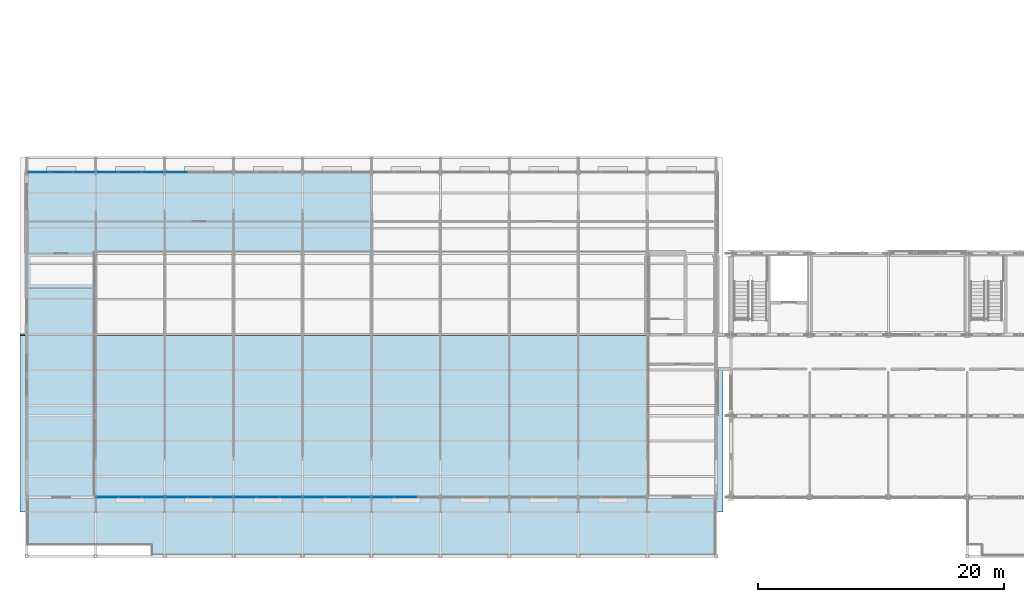
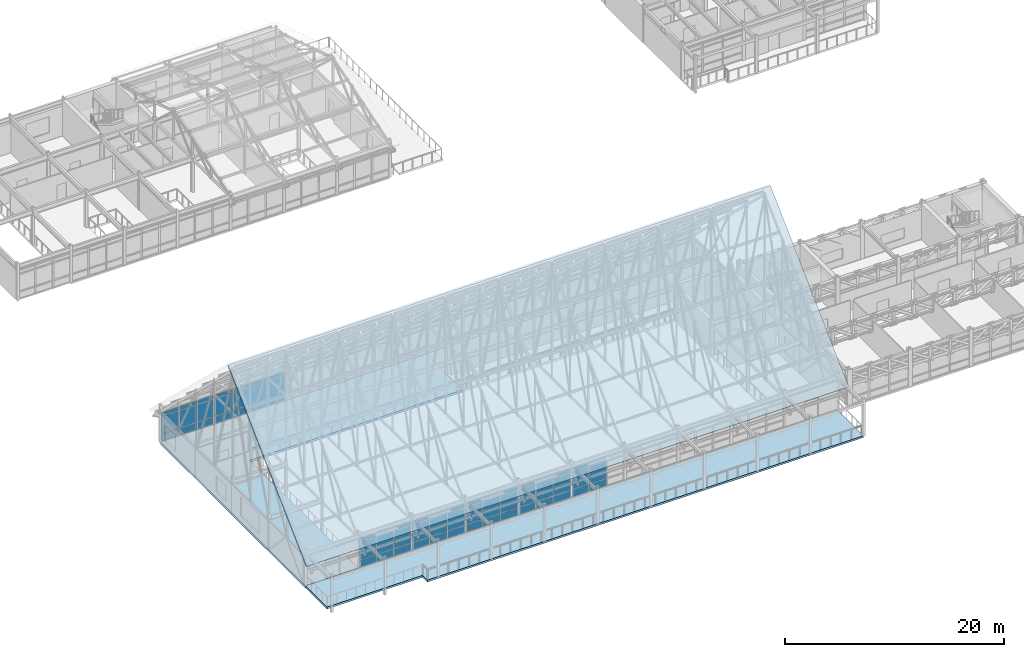
# One storey, part 91 of 144: 63 plates, 3 slabs, 8 elements without a shape of their own.
"""IFC4 building model written with IfcOpenShell, lengths in metres."""

from ifc_helpers import new_model, si_unit, direction, frame, origin, origin_2d, place, context, subcontext, project, spatial, polyline, rectangle, outline, extrude, material, layer, layer_set, type_object, element, aggregate, save


model = new_model("IFC4")

# Units and contexts
model_context = context("Model", 3, precision=1e-05, world=origin(), true_north=direction((0.0, 1.0)))
body_context = subcontext(model_context, "Body", "Model", "MODEL_VIEW")
ifc_project = project(units=[si_unit("LENGTHUNIT", "METRE"), si_unit("AREAUNIT", "SQUARE_METRE"), si_unit("VOLUMEUNIT", "CUBIC_METRE"), si_unit("PLANEANGLEUNIT", "RADIAN"), si_unit("MASSUNIT", "GRAM", prefix="KILO")], contexts=[model_context])

# Site, building, storey
site_placement = place(None, origin())
site = spatial("IfcSite", under=ifc_project, at=site_placement, CompositionType="ELEMENT")
building_placement = place(site_placement, origin())
building = spatial("IfcBuilding", under=site, at=building_placement, Name="Trelmorton Wharf Fire Station", CompositionType="ELEMENT")
storey_placement = place(building_placement, frame((0.0, 0.0, 5.39990234375)))
storey = spatial("IfcBuildingStorey", under=building, at=storey_placement, Name="L01", CompositionType="ELEMENT", Elevation=5.39990234375)

# Curtain wall, plates
ifc_material_1 = material(Name="Anodised aluminium AW-6063", Category="aluminium")
ifc_layer_1 = layer(ifc_material_1, 0.159912109375)
ifc_layer_set_1 = layer_set([ifc_layer_1], Name="Anodised aluminium AW-6063")
curtain_wall_type_1 = type_object("IfcCurtainWallType", Name="CW_CHIC_A", PredefinedType="USERDEFINED", material=ifc_layer_set_1)
curtain_wall_1_placement = place(storey_placement, origin())
curtain_wall_1 = element("IfcCurtainWall", 1, at=curtain_wall_1_placement, inside=storey, type_object=curtain_wall_type_1, Name="CW-V1-L01-001", ObjectType="CHICAGO BAY CURTAIN WALL", PredefinedType="USERDEFINED")
ifc_material_2 = material(Name="Tempered low-E double glazing", Category="glass")
ifc_layer_2 = layer(ifc_material_2, 0.028076171875)
ifc_layer_set_2 = layer_set([ifc_layer_2], Name="Tempered low-E double glazing")
plate_type_1 = type_object("IfcPlateType", Name="CWP_GLAZ_28", PredefinedType="CURTAIN_PANEL", material=ifc_layer_set_2)
plate_1_placement = place(storey_placement, frame((11.04833984375, 7.800048828125, 0.06005859375), z_axis=(0.0, 0.0, 1.0), x_axis=(-1.0, 0.0, 0.0)))
plate_1 = element("IfcPlate", 2, at=plate_1_placement, type_object=plate_type_1, Name="CW1 panel 1.1", PredefinedType="CURTAIN_PANEL", context=body_context, shape_type="SweptSolid", body=[
    extrude(rectangle(XDim=1.7734375, YDim=0.028076171875, at=origin_2d()), origin(), (0.0, 0.0, 1.0), 0.760009765625),
])
plate_2_placement = place(storey_placement, frame((11.04833984375, 7.800048828125, 0.88037109375), z_axis=(0.0, 0.0, 1.0), x_axis=(-1.0, 0.0, 0.0)))
plate_2 = element("IfcPlate", 3, at=plate_2_placement, type_object=plate_type_1, Name="CW1 panel 1.2", PredefinedType="CURTAIN_PANEL", context=body_context, shape_type="SweptSolid", body=[
    extrude(rectangle(XDim=1.7734375, YDim=0.028076171875, at=origin_2d()), origin(), (0.0, 0.0, 1.0), 1.909912109375),
])
plate_3_placement = place(storey_placement, frame((11.04833984375, 7.800048828125, 2.85009765625), z_axis=(0.0, 0.0, 1.0), x_axis=(-1.0, 0.0, 0.0)))
plate_3 = element("IfcPlate", 4, at=plate_3_placement, type_object=plate_type_1, Name="CW1 panel 1.3", PredefinedType="CURTAIN_PANEL", context=body_context, shape_type="SweptSolid", body=[
    extrude(rectangle(XDim=1.7734375, YDim=0.028076171875, at=origin_2d()), origin(), (0.0, 0.0, 1.0), 0.409912109375),
])
plate_4_placement = place(storey_placement, frame((9.199951171875, 7.800048828125, 0.06005859375), z_axis=(0.0, 0.0, 1.0), x_axis=(-1.0, 0.0, 0.0)))
plate_4 = element("IfcPlate", 5, at=plate_4_placement, type_object=plate_type_1, Name="CW1 panel 2.1", PredefinedType="CURTAIN_PANEL", context=body_context, shape_type="SweptSolid", body=[
    extrude(rectangle(XDim=1.80322265625, YDim=0.028076171875, at=origin_2d()), origin(), (0.0, 0.0, 1.0), 0.760009765625),
])
plate_5_placement = place(storey_placement, frame((9.199951171875, 7.800048828125, 0.88037109375), z_axis=(0.0, 0.0, 1.0), x_axis=(-1.0, 0.0, 0.0)))
plate_5 = element("IfcPlate", 6, at=plate_5_placement, type_object=plate_type_1, Name="CW1 panel 2.2", PredefinedType="CURTAIN_PANEL", context=body_context, shape_type="SweptSolid", body=[
    extrude(rectangle(XDim=1.80322265625, YDim=0.028076171875, at=origin_2d()), origin(), (0.0, 0.0, 1.0), 1.909912109375),
])
plate_6_placement = place(storey_placement, frame((9.199951171875, 7.800048828125, 2.85009765625), z_axis=(0.0, 0.0, 1.0), x_axis=(-1.0, 0.0, 0.0)))
plate_6 = element("IfcPlate", 7, at=plate_6_placement, type_object=plate_type_1, Name="CW1 panel 2.3", PredefinedType="CURTAIN_PANEL", context=body_context, shape_type="SweptSolid", body=[
    extrude(rectangle(XDim=1.80322265625, YDim=0.028076171875, at=origin_2d()), origin(), (0.0, 0.0, 1.0), 0.409912109375),
])
plate_7_placement = place(storey_placement, frame((7.3515625, 7.800048828125, 0.06005859375), z_axis=(0.0, 0.0, 1.0), x_axis=(-1.0, 0.0, 0.0)))
plate_7 = element("IfcPlate", 8, at=plate_7_placement, type_object=plate_type_1, Name="CW1 panel 3.1", PredefinedType="CURTAIN_PANEL", context=body_context, shape_type="SweptSolid", body=[
    extrude(rectangle(XDim=1.7734375, YDim=0.028076171875, at=origin_2d()), origin(), (0.0, 0.0, 1.0), 0.760009765625),
])
plate_8_placement = place(storey_placement, frame((7.3515625, 7.800048828125, 0.88037109375), z_axis=(0.0, 0.0, 1.0), x_axis=(-1.0, 0.0, 0.0)))
plate_8 = element("IfcPlate", 9, at=plate_8_placement, type_object=plate_type_1, Name="CW1 panel 3.2", PredefinedType="CURTAIN_PANEL", context=body_context, shape_type="SweptSolid", body=[
    extrude(rectangle(XDim=1.7734375, YDim=0.028076171875, at=origin_2d()), origin(), (0.0, 0.0, 1.0), 1.909912109375),
])
plate_9_placement = place(storey_placement, frame((7.3515625, 7.800048828125, 2.85009765625), z_axis=(0.0, 0.0, 1.0), x_axis=(-1.0, 0.0, 0.0)))
plate_9 = element("IfcPlate", 10, at=plate_9_placement, type_object=plate_type_1, Name="CW1 panel 3.3", PredefinedType="CURTAIN_PANEL", context=body_context, shape_type="SweptSolid", body=[
    extrude(rectangle(XDim=1.7734375, YDim=0.028076171875, at=origin_2d()), origin(), (0.0, 0.0, 1.0), 0.409912109375),
])
aggregate(curtain_wall_1, [plate_1, plate_2, plate_3, plate_4, plate_5, plate_6, plate_7, plate_8, plate_9])

curtain_wall_2_placement = place(storey_placement, origin())
curtain_wall_2 = element("IfcCurtainWall", 11, at=curtain_wall_2_placement, inside=storey, type_object=curtain_wall_type_1, Name="CW-V1-L01-002", ObjectType="CHICAGO BAY CURTAIN WALL", PredefinedType="USERDEFINED")
plate_10_placement = place(storey_placement, frame((16.6484375, 7.800048828125, 0.06005859375), z_axis=(0.0, 0.0, 1.0), x_axis=(-1.0, 0.0, 0.0)))
plate_10 = element("IfcPlate", 12, at=plate_10_placement, type_object=plate_type_1, Name="CW1 panel 1.1", PredefinedType="CURTAIN_PANEL", context=body_context, shape_type="SweptSolid", body=[
    extrude(rectangle(XDim=1.7734375, YDim=0.028076171875, at=origin_2d()), origin(), (0.0, 0.0, 1.0), 0.760009765625),
])
plate_11_placement = place(storey_placement, frame((16.6484375, 7.800048828125, 0.88037109375), z_axis=(0.0, 0.0, 1.0), x_axis=(-1.0, 0.0, 0.0)))
plate_11 = element("IfcPlate", 13, at=plate_11_placement, type_object=plate_type_1, Name="CW1 panel 1.2", PredefinedType="CURTAIN_PANEL", context=body_context, shape_type="SweptSolid", body=[
    extrude(rectangle(XDim=1.7734375, YDim=0.028076171875, at=origin_2d()), origin(), (0.0, 0.0, 1.0), 1.909912109375),
])
plate_12_placement = place(storey_placement, frame((16.6484375, 7.800048828125, 2.85009765625), z_axis=(0.0, 0.0, 1.0), x_axis=(-1.0, 0.0, 0.0)))
plate_12 = element("IfcPlate", 14, at=plate_12_placement, type_object=plate_type_1, Name="CW1 panel 1.3", PredefinedType="CURTAIN_PANEL", context=body_context, shape_type="SweptSolid", body=[
    extrude(rectangle(XDim=1.7734375, YDim=0.028076171875, at=origin_2d()), origin(), (0.0, 0.0, 1.0), 0.409912109375),
])
plate_13_placement = place(storey_placement, frame((14.800048828125, 7.800048828125, 0.06005859375), z_axis=(0.0, 0.0, 1.0), x_axis=(-1.0, 0.0, 0.0)))
plate_13 = element("IfcPlate", 15, at=plate_13_placement, type_object=plate_type_1, Name="CW1 panel 2.1", PredefinedType="CURTAIN_PANEL", context=body_context, shape_type="SweptSolid", body=[
    extrude(rectangle(XDim=1.80322265625, YDim=0.028076171875, at=origin_2d()), origin(), (0.0, 0.0, 1.0), 0.760009765625),
])
plate_14_placement = place(storey_placement, frame((14.800048828125, 7.800048828125, 0.88037109375), z_axis=(0.0, 0.0, 1.0), x_axis=(-1.0, 0.0, 0.0)))
plate_14 = element("IfcPlate", 16, at=plate_14_placement, type_object=plate_type_1, Name="CW1 panel 2.2", PredefinedType="CURTAIN_PANEL", context=body_context, shape_type="SweptSolid", body=[
    extrude(rectangle(XDim=1.80322265625, YDim=0.028076171875, at=origin_2d()), origin(), (0.0, 0.0, 1.0), 1.909912109375),
])
plate_15_placement = place(storey_placement, frame((14.800048828125, 7.800048828125, 2.85009765625), z_axis=(0.0, 0.0, 1.0), x_axis=(-1.0, 0.0, 0.0)))
plate_15 = element("IfcPlate", 17, at=plate_15_placement, type_object=plate_type_1, Name="CW1 panel 2.3", PredefinedType="CURTAIN_PANEL", context=body_context, shape_type="SweptSolid", body=[
    extrude(rectangle(XDim=1.80322265625, YDim=0.028076171875, at=origin_2d()), origin(), (0.0, 0.0, 1.0), 0.409912109375),
])
plate_16_placement = place(storey_placement, frame((12.95166015625, 7.800048828125, 0.06005859375), z_axis=(0.0, 0.0, 1.0), x_axis=(-1.0, 0.0, 0.0)))
plate_16 = element("IfcPlate", 18, at=plate_16_placement, type_object=plate_type_1, Name="CW1 panel 3.1", PredefinedType="CURTAIN_PANEL", context=body_context, shape_type="SweptSolid", body=[
    extrude(rectangle(XDim=1.7734375, YDim=0.028076171875, at=origin_2d()), origin(), (0.0, 0.0, 1.0), 0.760009765625),
])
plate_17_placement = place(storey_placement, frame((12.95166015625, 7.800048828125, 0.88037109375), z_axis=(0.0, 0.0, 1.0), x_axis=(-1.0, 0.0, 0.0)))
plate_17 = element("IfcPlate", 19, at=plate_17_placement, type_object=plate_type_1, Name="CW1 panel 3.2", PredefinedType="CURTAIN_PANEL", context=body_context, shape_type="SweptSolid", body=[
    extrude(rectangle(XDim=1.7734375, YDim=0.028076171875, at=origin_2d()), origin(), (0.0, 0.0, 1.0), 1.909912109375),
])
plate_18_placement = place(storey_placement, frame((12.95166015625, 7.800048828125, 2.85009765625), z_axis=(0.0, 0.0, 1.0), x_axis=(-1.0, 0.0, 0.0)))
plate_18 = element("IfcPlate", 20, at=plate_18_placement, type_object=plate_type_1, Name="CW1 panel 3.3", PredefinedType="CURTAIN_PANEL", context=body_context, shape_type="SweptSolid", body=[
    extrude(rectangle(XDim=1.7734375, YDim=0.028076171875, at=origin_2d()), origin(), (0.0, 0.0, 1.0), 0.409912109375),
])
aggregate(curtain_wall_2, [plate_10, plate_11, plate_12, plate_13, plate_14, plate_15, plate_16, plate_17, plate_18])

curtain_wall_3_placement = place(storey_placement, origin())
curtain_wall_3 = element("IfcCurtainWall", 21, at=curtain_wall_3_placement, inside=storey, type_object=curtain_wall_type_1, Name="CW-V1-L01-004", ObjectType="CHICAGO BAY CURTAIN WALL", PredefinedType="USERDEFINED")
plate_19_placement = place(storey_placement, frame((27.848388671875, 7.800048828125, 0.06005859375), z_axis=(0.0, 0.0, 1.0), x_axis=(-1.0, 0.0, 0.0)))
plate_19 = element("IfcPlate", 22, at=plate_19_placement, type_object=plate_type_1, Name="CW1 panel 1.1", PredefinedType="CURTAIN_PANEL", context=body_context, shape_type="SweptSolid", body=[
    extrude(rectangle(XDim=1.7734375, YDim=0.028076171875, at=origin_2d()), origin(), (0.0, 0.0, 1.0), 0.760009765625),
])
plate_20_placement = place(storey_placement, frame((27.848388671875, 7.800048828125, 0.88037109375), z_axis=(0.0, 0.0, 1.0), x_axis=(-1.0, 0.0, 0.0)))
plate_20 = element("IfcPlate", 23, at=plate_20_placement, type_object=plate_type_1, Name="CW1 panel 1.2", PredefinedType="CURTAIN_PANEL", context=body_context, shape_type="SweptSolid", body=[
    extrude(rectangle(XDim=1.7734375, YDim=0.028076171875, at=origin_2d()), origin(), (0.0, 0.0, 1.0), 1.909912109375),
])
plate_21_placement = place(storey_placement, frame((27.848388671875, 7.800048828125, 2.85009765625), z_axis=(0.0, 0.0, 1.0), x_axis=(-1.0, 0.0, 0.0)))
plate_21 = element("IfcPlate", 24, at=plate_21_placement, type_object=plate_type_1, Name="CW1 panel 1.3", PredefinedType="CURTAIN_PANEL", context=body_context, shape_type="SweptSolid", body=[
    extrude(rectangle(XDim=1.7734375, YDim=0.028076171875, at=origin_2d()), origin(), (0.0, 0.0, 1.0), 0.409912109375),
])
plate_22_placement = place(storey_placement, frame((26.0, 7.800048828125, 0.06005859375), z_axis=(0.0, 0.0, 1.0), x_axis=(-1.0, 0.0, 0.0)))
plate_22 = element("IfcPlate", 25, at=plate_22_placement, type_object=plate_type_1, Name="CW1 panel 2.1", PredefinedType="CURTAIN_PANEL", context=body_context, shape_type="SweptSolid", body=[
    extrude(rectangle(XDim=1.80322265625, YDim=0.028076171875, at=origin_2d()), origin(), (0.0, 0.0, 1.0), 0.760009765625),
])
plate_23_placement = place(storey_placement, frame((26.0, 7.800048828125, 0.88037109375), z_axis=(0.0, 0.0, 1.0), x_axis=(-1.0, 0.0, 0.0)))
plate_23 = element("IfcPlate", 26, at=plate_23_placement, type_object=plate_type_1, Name="CW1 panel 2.2", PredefinedType="CURTAIN_PANEL", context=body_context, shape_type="SweptSolid", body=[
    extrude(rectangle(XDim=1.80322265625, YDim=0.028076171875, at=origin_2d()), origin(), (0.0, 0.0, 1.0), 1.909912109375),
])
plate_24_placement = place(storey_placement, frame((26.0, 7.800048828125, 2.85009765625), z_axis=(0.0, 0.0, 1.0), x_axis=(-1.0, 0.0, 0.0)))
plate_24 = element("IfcPlate", 27, at=plate_24_placement, type_object=plate_type_1, Name="CW1 panel 2.3", PredefinedType="CURTAIN_PANEL", context=body_context, shape_type="SweptSolid", body=[
    extrude(rectangle(XDim=1.80322265625, YDim=0.028076171875, at=origin_2d()), origin(), (0.0, 0.0, 1.0), 0.409912109375),
])
plate_25_placement = place(storey_placement, frame((24.151611328125, 7.800048828125, 0.06005859375), z_axis=(0.0, 0.0, 1.0), x_axis=(-1.0, 0.0, 0.0)))
plate_25 = element("IfcPlate", 28, at=plate_25_placement, type_object=plate_type_1, Name="CW1 panel 3.1", PredefinedType="CURTAIN_PANEL", context=body_context, shape_type="SweptSolid", body=[
    extrude(rectangle(XDim=1.7734375, YDim=0.028076171875, at=origin_2d()), origin(), (0.0, 0.0, 1.0), 0.760009765625),
])
plate_26_placement = place(storey_placement, frame((24.151611328125, 7.800048828125, 0.88037109375), z_axis=(0.0, 0.0, 1.0), x_axis=(-1.0, 0.0, 0.0)))
plate_26 = element("IfcPlate", 29, at=plate_26_placement, type_object=plate_type_1, Name="CW1 panel 3.2", PredefinedType="CURTAIN_PANEL", context=body_context, shape_type="SweptSolid", body=[
    extrude(rectangle(XDim=1.7734375, YDim=0.028076171875, at=origin_2d()), origin(), (0.0, 0.0, 1.0), 1.909912109375),
])
plate_27_placement = place(storey_placement, frame((24.151611328125, 7.800048828125, 2.85009765625), z_axis=(0.0, 0.0, 1.0), x_axis=(-1.0, 0.0, 0.0)))
plate_27 = element("IfcPlate", 30, at=plate_27_placement, type_object=plate_type_1, Name="CW1 panel 3.3", PredefinedType="CURTAIN_PANEL", context=body_context, shape_type="SweptSolid", body=[
    extrude(rectangle(XDim=1.7734375, YDim=0.028076171875, at=origin_2d()), origin(), (0.0, 0.0, 1.0), 0.409912109375),
])
aggregate(curtain_wall_3, [plate_19, plate_20, plate_21, plate_22, plate_23, plate_24, plate_25, plate_26, plate_27])

curtain_wall_4_placement = place(storey_placement, origin())
curtain_wall_4 = element("IfcCurtainWall", 31, at=curtain_wall_4_placement, inside=storey, type_object=curtain_wall_type_1, Name="CW-V1-L01-005", ObjectType="CHICAGO BAY CURTAIN WALL", PredefinedType="USERDEFINED")
plate_28_placement = place(storey_placement, frame((31.60009765625, 7.800048828125, 0.06005859375), z_axis=(0.0, 0.0, 1.0), x_axis=(-1.0, 0.0, 0.0)))
plate_28 = element("IfcPlate", 32, at=plate_28_placement, type_object=plate_type_1, Name="CW1 panel 2.1", PredefinedType="CURTAIN_PANEL", context=body_context, shape_type="SweptSolid", body=[
    extrude(rectangle(XDim=1.80322265625, YDim=0.028076171875, at=origin_2d()), origin(), (0.0, 0.0, 1.0), 0.760009765625),
])
plate_29_placement = place(storey_placement, frame((31.60009765625, 7.800048828125, 0.88037109375), z_axis=(0.0, 0.0, 1.0), x_axis=(-1.0, 0.0, 0.0)))
plate_29 = element("IfcPlate", 33, at=plate_29_placement, type_object=plate_type_1, Name="CW1 panel 2.2", PredefinedType="CURTAIN_PANEL", context=body_context, shape_type="SweptSolid", body=[
    extrude(rectangle(XDim=1.80322265625, YDim=0.028076171875, at=origin_2d()), origin(), (0.0, 0.0, 1.0), 1.909912109375),
])
plate_30_placement = place(storey_placement, frame((31.60009765625, 7.800048828125, 2.85009765625), z_axis=(0.0, 0.0, 1.0), x_axis=(-1.0, 0.0, 0.0)))
plate_30 = element("IfcPlate", 34, at=plate_30_placement, type_object=plate_type_1, Name="CW1 panel 2.3", PredefinedType="CURTAIN_PANEL", context=body_context, shape_type="SweptSolid", body=[
    extrude(rectangle(XDim=1.80322265625, YDim=0.028076171875, at=origin_2d()), origin(), (0.0, 0.0, 1.0), 0.409912109375),
])
plate_31_placement = place(storey_placement, frame((29.751708984375, 7.800048828125, 0.06005859375), z_axis=(0.0, 0.0, 1.0), x_axis=(-1.0, 0.0, 0.0)))
plate_31 = element("IfcPlate", 35, at=plate_31_placement, type_object=plate_type_1, Name="CW1 panel 3.1", PredefinedType="CURTAIN_PANEL", context=body_context, shape_type="SweptSolid", body=[
    extrude(rectangle(XDim=1.7734375, YDim=0.028076171875, at=origin_2d()), origin(), (0.0, 0.0, 1.0), 0.760009765625),
])
plate_32_placement = place(storey_placement, frame((29.751708984375, 7.800048828125, 0.88037109375), z_axis=(0.0, 0.0, 1.0), x_axis=(-1.0, 0.0, 0.0)))
plate_32 = element("IfcPlate", 36, at=plate_32_placement, type_object=plate_type_1, Name="CW1 panel 3.2", PredefinedType="CURTAIN_PANEL", context=body_context, shape_type="SweptSolid", body=[
    extrude(rectangle(XDim=1.7734375, YDim=0.028076171875, at=origin_2d()), origin(), (0.0, 0.0, 1.0), 1.909912109375),
])
plate_33_placement = place(storey_placement, frame((29.751708984375, 7.800048828125, 2.85009765625), z_axis=(0.0, 0.0, 1.0), x_axis=(-1.0, 0.0, 0.0)))
plate_33 = element("IfcPlate", 37, at=plate_33_placement, type_object=plate_type_1, Name="CW1 panel 3.3", PredefinedType="CURTAIN_PANEL", context=body_context, shape_type="SweptSolid", body=[
    extrude(rectangle(XDim=1.7734375, YDim=0.028076171875, at=origin_2d()), origin(), (0.0, 0.0, 1.0), 0.409912109375),
])
aggregate(curtain_wall_4, [plate_28, plate_29, plate_30, plate_31, plate_32, plate_33])

ifc_layer_3 = layer(ifc_material_1, 0.175048828125)
ifc_layer_set_3 = layer_set([ifc_layer_3], Name="Anodised aluminium AW-6063")
curtain_wall_type_2 = type_object("IfcCurtainWallType", Name="CW_CHIC_B", PredefinedType="USERDEFINED", material=ifc_layer_set_3)
curtain_wall_5_placement = place(storey_placement, origin())
curtain_wall_5 = element("IfcCurtainWall", 38, at=curtain_wall_5_placement, inside=storey, type_object=curtain_wall_type_2, Name="CW-V1-L01-010", ObjectType="CHICAGO BAY CURTAIN WALL", PredefinedType="USERDEFINED")
plate_34_placement = place(storey_placement, frame((7.3515625, 34.199951171875, 0.06005859375), z_axis=(0.0, 0.0, 1.0), x_axis=(1.0, 0.0, 0.0)))
plate_34 = element("IfcPlate", 39, at=plate_34_placement, type_object=plate_type_1, Name="CW2 panel 1.1", PredefinedType="CURTAIN_PANEL", context=body_context, shape_type="SweptSolid", body=[
    extrude(rectangle(XDim=1.7734375, YDim=0.028076171875, at=origin_2d()), origin(), (0.0, 0.0, 1.0), 0.760009765625),
])
plate_35_placement = place(storey_placement, frame((7.3515625, 34.199951171875, 0.88037109375), z_axis=(0.0, 0.0, 1.0), x_axis=(1.0, 0.0, 0.0)))
plate_35 = element("IfcPlate", 40, at=plate_35_placement, type_object=plate_type_1, Name="CW2 panel 1.2", PredefinedType="CURTAIN_PANEL", context=body_context, shape_type="SweptSolid", body=[
    extrude(rectangle(XDim=1.7734375, YDim=0.028076171875, at=origin_2d()), origin(), (0.0, 0.0, 1.0), 1.909912109375),
])
plate_36_placement = place(storey_placement, frame((7.3515625, 34.199951171875, 2.85009765625), z_axis=(0.0, 0.0, 1.0), x_axis=(1.0, 0.0, 0.0)))
plate_36 = element("IfcPlate", 41, at=plate_36_placement, type_object=plate_type_1, Name="CW2 panel 1.3", PredefinedType="CURTAIN_PANEL", context=body_context, shape_type="SweptSolid", body=[
    extrude(rectangle(XDim=1.7734375, YDim=0.028076171875, at=origin_2d()), origin(), (0.0, 0.0, 1.0), 0.409912109375),
])
plate_37_placement = place(storey_placement, frame((9.199951171875, 34.199951171875, 0.06005859375), z_axis=(0.0, 0.0, 1.0), x_axis=(1.0, 0.0, 0.0)))
plate_37 = element("IfcPlate", 42, at=plate_37_placement, type_object=plate_type_1, Name="CW2 panel 2.1", PredefinedType="CURTAIN_PANEL", context=body_context, shape_type="SweptSolid", body=[
    extrude(rectangle(XDim=1.80322265625, YDim=0.028076171875, at=origin_2d()), origin(), (0.0, 0.0, 1.0), 0.760009765625),
])
plate_38_placement = place(storey_placement, frame((9.199951171875, 34.199951171875, 0.88037109375), z_axis=(0.0, 0.0, 1.0), x_axis=(1.0, 0.0, 0.0)))
plate_38 = element("IfcPlate", 43, at=plate_38_placement, type_object=plate_type_1, Name="CW2 panel 2.2", PredefinedType="CURTAIN_PANEL", context=body_context, shape_type="SweptSolid", body=[
    extrude(rectangle(XDim=1.80322265625, YDim=0.028076171875, at=origin_2d()), origin(), (0.0, 0.0, 1.0), 1.909912109375),
])
plate_39_placement = place(storey_placement, frame((9.199951171875, 34.199951171875, 2.85009765625), z_axis=(0.0, 0.0, 1.0), x_axis=(1.0, 0.0, 0.0)))
plate_39 = element("IfcPlate", 44, at=plate_39_placement, type_object=plate_type_1, Name="CW2 panel 2.3", PredefinedType="CURTAIN_PANEL", context=body_context, shape_type="SweptSolid", body=[
    extrude(rectangle(XDim=1.80322265625, YDim=0.028076171875, at=origin_2d()), origin(), (0.0, 0.0, 1.0), 0.409912109375),
])
plate_40_placement = place(storey_placement, frame((11.04833984375, 34.199951171875, 0.06005859375), z_axis=(0.0, 0.0, 1.0), x_axis=(1.0, 0.0, 0.0)))
plate_40 = element("IfcPlate", 45, at=plate_40_placement, type_object=plate_type_1, Name="CW2 panel 3.1", PredefinedType="CURTAIN_PANEL", context=body_context, shape_type="SweptSolid", body=[
    extrude(rectangle(XDim=1.7734375, YDim=0.028076171875, at=origin_2d()), origin(), (0.0, 0.0, 1.0), 0.760009765625),
])
plate_41_placement = place(storey_placement, frame((11.04833984375, 34.199951171875, 0.88037109375), z_axis=(0.0, 0.0, 1.0), x_axis=(1.0, 0.0, 0.0)))
plate_41 = element("IfcPlate", 46, at=plate_41_placement, type_object=plate_type_1, Name="CW2 panel 3.2", PredefinedType="CURTAIN_PANEL", context=body_context, shape_type="SweptSolid", body=[
    extrude(rectangle(XDim=1.7734375, YDim=0.028076171875, at=origin_2d()), origin(), (0.0, 0.0, 1.0), 1.909912109375),
])
plate_42_placement = place(storey_placement, frame((11.04833984375, 34.199951171875, 2.85009765625), z_axis=(0.0, 0.0, 1.0), x_axis=(1.0, 0.0, 0.0)))
plate_42 = element("IfcPlate", 47, at=plate_42_placement, type_object=plate_type_1, Name="CW2 panel 3.3", PredefinedType="CURTAIN_PANEL", context=body_context, shape_type="SweptSolid", body=[
    extrude(rectangle(XDim=1.7734375, YDim=0.028076171875, at=origin_2d()), origin(), (0.0, 0.0, 1.0), 0.409912109375),
])
aggregate(curtain_wall_5, [plate_34, plate_35, plate_36, plate_37, plate_38, plate_39, plate_40, plate_41, plate_42])

curtain_wall_6_placement = place(storey_placement, origin())
curtain_wall_6 = element("IfcCurtainWall", 48, at=curtain_wall_6_placement, inside=storey, type_object=curtain_wall_type_2, Name="CW-V1-L01-011", ObjectType="CHICAGO BAY CURTAIN WALL", PredefinedType="USERDEFINED")
plate_43_placement = place(storey_placement, frame((12.95166015625, 34.199951171875, 0.06005859375), z_axis=(0.0, 0.0, 1.0), x_axis=(1.0, 0.0, 0.0)))
plate_43 = element("IfcPlate", 49, at=plate_43_placement, type_object=plate_type_1, Name="CW2 panel 1.1", PredefinedType="CURTAIN_PANEL", context=body_context, shape_type="SweptSolid", body=[
    extrude(rectangle(XDim=1.7734375, YDim=0.028076171875, at=origin_2d()), origin(), (0.0, 0.0, 1.0), 0.760009765625),
])
plate_44_placement = place(storey_placement, frame((12.95166015625, 34.199951171875, 0.88037109375), z_axis=(0.0, 0.0, 1.0), x_axis=(1.0, 0.0, 0.0)))
plate_44 = element("IfcPlate", 50, at=plate_44_placement, type_object=plate_type_1, Name="CW2 panel 1.2", PredefinedType="CURTAIN_PANEL", context=body_context, shape_type="SweptSolid", body=[
    extrude(rectangle(XDim=1.7734375, YDim=0.028076171875, at=origin_2d()), origin(), (0.0, 0.0, 1.0), 1.909912109375),
])
plate_45_placement = place(storey_placement, frame((12.95166015625, 34.199951171875, 2.85009765625), z_axis=(0.0, 0.0, 1.0), x_axis=(1.0, 0.0, 0.0)))
plate_45 = element("IfcPlate", 51, at=plate_45_placement, type_object=plate_type_1, Name="CW2 panel 1.3", PredefinedType="CURTAIN_PANEL", context=body_context, shape_type="SweptSolid", body=[
    extrude(rectangle(XDim=1.7734375, YDim=0.028076171875, at=origin_2d()), origin(), (0.0, 0.0, 1.0), 0.409912109375),
])
aggregate(curtain_wall_6, [plate_43, plate_44, plate_45])

curtain_wall_7_placement = place(storey_placement, origin())
curtain_wall_7 = element("IfcCurtainWall", 52, at=curtain_wall_7_placement, inside=storey, type_object=curtain_wall_type_1, Name="CW-V1-L01-003", ObjectType="CHICAGO BAY CURTAIN WALL", PredefinedType="USERDEFINED")
ifc_layer_4 = layer(ifc_material_2, 0.028076171875)
ifc_layer_set_4 = layer_set([ifc_layer_4], Name="Tempered low-E double glazing")
plate_type_2 = type_object("IfcPlateType", Name="CWP_GLAZ_38", PredefinedType="CURTAIN_PANEL", material=ifc_layer_set_4)
plate_46_placement = place(storey_placement, frame((22.248291015625, 7.800048828125, 0.06005859375), z_axis=(0.0, 0.0, 1.0), x_axis=(-1.0, 0.0, 0.0)))
plate_46 = element("IfcPlate", 53, at=plate_46_placement, type_object=plate_type_2, Name="CW1 panel 1.1", PredefinedType="CURTAIN_PANEL", context=body_context, shape_type="SweptSolid", body=[
    extrude(rectangle(XDim=1.7734375, YDim=0.028076171875, at=origin_2d()), origin(), (0.0, 0.0, 1.0), 0.760009765625),
])
plate_47_placement = place(storey_placement, frame((22.248291015625, 7.800048828125, 0.88037109375), z_axis=(0.0, 0.0, 1.0), x_axis=(-1.0, 0.0, 0.0)))
plate_47 = element("IfcPlate", 54, at=plate_47_placement, type_object=plate_type_2, Name="CW1 panel 1.2", PredefinedType="CURTAIN_PANEL", context=body_context, shape_type="SweptSolid", body=[
    extrude(rectangle(XDim=1.7734375, YDim=0.028076171875, at=origin_2d()), origin(), (0.0, 0.0, 1.0), 1.909912109375),
])
plate_48_placement = place(storey_placement, frame((22.248291015625, 7.800048828125, 2.85009765625), z_axis=(0.0, 0.0, 1.0), x_axis=(-1.0, 0.0, 0.0)))
plate_48 = element("IfcPlate", 55, at=plate_48_placement, type_object=plate_type_2, Name="CW1 panel 1.3", PredefinedType="CURTAIN_PANEL", context=body_context, shape_type="SweptSolid", body=[
    extrude(rectangle(XDim=1.7734375, YDim=0.028076171875, at=origin_2d()), origin(), (0.0, 0.0, 1.0), 0.409912109375),
])
plate_49_placement = place(storey_placement, frame((20.39990234375, 7.800048828125, 0.06005859375), z_axis=(0.0, 0.0, 1.0), x_axis=(-1.0, 0.0, 0.0)))
plate_49 = element("IfcPlate", 56, at=plate_49_placement, type_object=plate_type_2, Name="CW1 panel 2.1", PredefinedType="CURTAIN_PANEL", context=body_context, shape_type="SweptSolid", body=[
    extrude(rectangle(XDim=1.80322265625, YDim=0.028076171875, at=origin_2d()), origin(), (0.0, 0.0, 1.0), 0.760009765625),
])
plate_50_placement = place(storey_placement, frame((20.39990234375, 7.800048828125, 0.88037109375), z_axis=(0.0, 0.0, 1.0), x_axis=(-1.0, 0.0, 0.0)))
plate_50 = element("IfcPlate", 57, at=plate_50_placement, type_object=plate_type_2, Name="CW1 panel 2.2", PredefinedType="CURTAIN_PANEL", context=body_context, shape_type="SweptSolid", body=[
    extrude(rectangle(XDim=1.80322265625, YDim=0.028076171875, at=origin_2d()), origin(), (0.0, 0.0, 1.0), 1.909912109375),
])
plate_51_placement = place(storey_placement, frame((20.39990234375, 7.800048828125, 2.85009765625), z_axis=(0.0, 0.0, 1.0), x_axis=(-1.0, 0.0, 0.0)))
plate_51 = element("IfcPlate", 58, at=plate_51_placement, type_object=plate_type_2, Name="CW1 panel 2.3", PredefinedType="CURTAIN_PANEL", context=body_context, shape_type="SweptSolid", body=[
    extrude(rectangle(XDim=1.80322265625, YDim=0.028076171875, at=origin_2d()), origin(), (0.0, 0.0, 1.0), 0.409912109375),
])
plate_52_placement = place(storey_placement, frame((18.5517578125, 7.800048828125, 0.06005859375), z_axis=(0.0, 0.0, 1.0), x_axis=(-1.0, 0.0, 0.0)))
plate_52 = element("IfcPlate", 59, at=plate_52_placement, type_object=plate_type_2, Name="CW1 panel 3.1", PredefinedType="CURTAIN_PANEL", context=body_context, shape_type="SweptSolid", body=[
    extrude(rectangle(XDim=1.7734375, YDim=0.028076171875, at=origin_2d()), origin(), (0.0, 0.0, 1.0), 0.760009765625),
])
plate_53_placement = place(storey_placement, frame((18.5517578125, 7.800048828125, 0.88037109375), z_axis=(0.0, 0.0, 1.0), x_axis=(-1.0, 0.0, 0.0)))
plate_53 = element("IfcPlate", 60, at=plate_53_placement, type_object=plate_type_2, Name="CW1 panel 3.2", PredefinedType="CURTAIN_PANEL", context=body_context, shape_type="SweptSolid", body=[
    extrude(rectangle(XDim=1.7734375, YDim=0.028076171875, at=origin_2d()), origin(), (0.0, 0.0, 1.0), 1.909912109375),
])
plate_54_placement = place(storey_placement, frame((18.5517578125, 7.800048828125, 2.85009765625), z_axis=(0.0, 0.0, 1.0), x_axis=(-1.0, 0.0, 0.0)))
plate_54 = element("IfcPlate", 61, at=plate_54_placement, type_object=plate_type_2, Name="CW1 panel 3.3", PredefinedType="CURTAIN_PANEL", context=body_context, shape_type="SweptSolid", body=[
    extrude(rectangle(XDim=1.7734375, YDim=0.028076171875, at=origin_2d()), origin(), (0.0, 0.0, 1.0), 0.409912109375),
])
aggregate(curtain_wall_7, [plate_46, plate_47, plate_48, plate_49, plate_50, plate_51, plate_52, plate_53, plate_54])

curtain_wall_8_placement = place(storey_placement, origin())
curtain_wall_8 = element("IfcCurtainWall", 62, at=curtain_wall_8_placement, inside=storey, type_object=curtain_wall_type_2, Name="CW-V1-L01-009", ObjectType="CHICAGO BAY CURTAIN WALL", PredefinedType="USERDEFINED")
plate_55_placement = place(storey_placement, frame((1.751708984375, 34.199951171875, 0.06005859375), z_axis=(0.0, 0.0, 1.0), x_axis=(1.0, 0.0, 0.0)))
plate_55 = element("IfcPlate", 63, at=plate_55_placement, type_object=plate_type_2, Name="CW2 panel 1.1", PredefinedType="CURTAIN_PANEL", context=body_context, shape_type="SweptSolid", body=[
    extrude(rectangle(XDim=1.7734375, YDim=0.028076171875, at=origin_2d()), origin(), (0.0, 0.0, 1.0), 0.760009765625),
])
plate_56_placement = place(storey_placement, frame((1.751708984375, 34.199951171875, 0.88037109375), z_axis=(0.0, 0.0, 1.0), x_axis=(1.0, 0.0, 0.0)))
plate_56 = element("IfcPlate", 64, at=plate_56_placement, type_object=plate_type_2, Name="CW2 panel 1.2", PredefinedType="CURTAIN_PANEL", context=body_context, shape_type="SweptSolid", body=[
    extrude(rectangle(XDim=1.7734375, YDim=0.028076171875, at=origin_2d()), origin(), (0.0, 0.0, 1.0), 1.909912109375),
])
plate_57_placement = place(storey_placement, frame((1.751708984375, 34.199951171875, 2.85009765625), z_axis=(0.0, 0.0, 1.0), x_axis=(1.0, 0.0, 0.0)))
plate_57 = element("IfcPlate", 65, at=plate_57_placement, type_object=plate_type_2, Name="CW2 panel 1.3", PredefinedType="CURTAIN_PANEL", context=body_context, shape_type="SweptSolid", body=[
    extrude(rectangle(XDim=1.7734375, YDim=0.028076171875, at=origin_2d()), origin(), (0.0, 0.0, 1.0), 0.409912109375),
])
plate_58_placement = place(storey_placement, frame((3.60009765625, 34.199951171875, 0.06005859375), z_axis=(0.0, 0.0, 1.0), x_axis=(1.0, 0.0, 0.0)))
plate_58 = element("IfcPlate", 66, at=plate_58_placement, type_object=plate_type_2, Name="CW2 panel 2.1", PredefinedType="CURTAIN_PANEL", context=body_context, shape_type="SweptSolid", body=[
    extrude(rectangle(XDim=1.80322265625, YDim=0.028076171875, at=origin_2d()), origin(), (0.0, 0.0, 1.0), 0.760009765625),
])
plate_59_placement = place(storey_placement, frame((3.60009765625, 34.199951171875, 0.88037109375), z_axis=(0.0, 0.0, 1.0), x_axis=(1.0, 0.0, 0.0)))
plate_59 = element("IfcPlate", 67, at=plate_59_placement, type_object=plate_type_2, Name="CW2 panel 2.2", PredefinedType="CURTAIN_PANEL", context=body_context, shape_type="SweptSolid", body=[
    extrude(rectangle(XDim=1.80322265625, YDim=0.028076171875, at=origin_2d()), origin(), (0.0, 0.0, 1.0), 1.909912109375),
])
plate_60_placement = place(storey_placement, frame((3.60009765625, 34.199951171875, 2.85009765625), z_axis=(0.0, 0.0, 1.0), x_axis=(1.0, 0.0, 0.0)))
plate_60 = element("IfcPlate", 68, at=plate_60_placement, type_object=plate_type_2, Name="CW2 panel 2.3", PredefinedType="CURTAIN_PANEL", context=body_context, shape_type="SweptSolid", body=[
    extrude(rectangle(XDim=1.80322265625, YDim=0.028076171875, at=origin_2d()), origin(), (0.0, 0.0, 1.0), 0.409912109375),
])
plate_61_placement = place(storey_placement, frame((5.4482421875, 34.199951171875, 0.06005859375), z_axis=(0.0, 0.0, 1.0), x_axis=(1.0, 0.0, 0.0)))
plate_61 = element("IfcPlate", 69, at=plate_61_placement, type_object=plate_type_2, Name="CW2 panel 3.1", PredefinedType="CURTAIN_PANEL", context=body_context, shape_type="SweptSolid", body=[
    extrude(rectangle(XDim=1.7734375, YDim=0.028076171875, at=origin_2d()), origin(), (0.0, 0.0, 1.0), 0.760009765625),
])
plate_62_placement = place(storey_placement, frame((5.4482421875, 34.199951171875, 0.88037109375), z_axis=(0.0, 0.0, 1.0), x_axis=(1.0, 0.0, 0.0)))
plate_62 = element("IfcPlate", 70, at=plate_62_placement, type_object=plate_type_2, Name="CW2 panel 3.2", PredefinedType="CURTAIN_PANEL", context=body_context, shape_type="SweptSolid", body=[
    extrude(rectangle(XDim=1.7734375, YDim=0.028076171875, at=origin_2d()), origin(), (0.0, 0.0, 1.0), 1.909912109375),
])
plate_63_placement = place(storey_placement, frame((5.4482421875, 34.199951171875, 2.85009765625), z_axis=(0.0, 0.0, 1.0), x_axis=(1.0, 0.0, 0.0)))
plate_63 = element("IfcPlate", 71, at=plate_63_placement, type_object=plate_type_2, Name="CW2 panel 3.3", PredefinedType="CURTAIN_PANEL", context=body_context, shape_type="SweptSolid", body=[
    extrude(rectangle(XDim=1.7734375, YDim=0.028076171875, at=origin_2d()), origin(), (0.0, 0.0, 1.0), 0.409912109375),
])
aggregate(curtain_wall_8, [plate_55, plate_56, plate_57, plate_58, plate_59, plate_60, plate_61, plate_62, plate_63])

# Slabs
ifc_material_3 = material(Name="Concrete 40 MPa", Category="concrete")
ifc_layer_5 = layer(ifc_material_3, 0.260009765625)
ifc_layer_set_5 = layer_set([ifc_layer_5], Name="Concrete 40 MPa")
slab_type_1 = type_object("IfcSlabType", Name="SL_FLOOR_260", PredefinedType="FLOOR", material=ifc_layer_set_5)
slab_1_placement = place(storey_placement, frame((0.0, 0.0, -0.260009765625)))
element("IfcSlab", 72, at=slab_1_placement, inside=storey, type_object=slab_type_1, Name="SL-V1-L01-004", PredefinedType="FLOOR", context=body_context, shape_type="SweptSolid", body=[
    extrude(outline(polyline([(28.800048828125, 34.199951171875), (28.800048828125, 27.60009765625), (6.39990234375, 27.60009765625), (6.39990234375, 7.800048828125), (0.800048828125, 7.800048828125), (0.800048828125, 34.199951171875), (28.800048828125, 34.199951171875)])), origin(), (0.0, 0.0, 1.0), 0.260009765625),
])
ifc_material_4 = material(Name="Precast concrete 45 MPa", Category="concrete")
ifc_layer_6 = layer(ifc_material_4, 0.199951171875)
ifc_layer_set_6 = layer_set([ifc_layer_6], Name="Precast concrete 45 MPa")
slab_type_2 = type_object("IfcSlabType", Name="SL_ROOF_SLOPED_200", PredefinedType="ROOF", material=ifc_layer_set_6)
slab_2_placement = place(storey_placement, frame((0.25, 6.60009765625, 3.0546875), z_axis=(0.0, -0.692488045551, 0.721429349811), x_axis=(1.0, 0.0, 0.0)))
element("IfcSlab", 73, at=slab_2_placement, inside=storey, type_object=slab_type_2, Name="SL-ROOF-V1-S", PredefinedType="ROOF", context=body_context, shape_type="SweptSolid", body=[
    extrude(outline(polyline([(0.0, 0.0), (57.10009765625, 0.0), (57.10009765625, 19.849239877048525), (0.0, 19.849239877048525), (0.0, 0.0)])), origin(), (0.0, 0.0, -1.0), 0.199951171875),
])
ifc_layer_7 = layer(ifc_material_3, 0.2099609375)
ifc_layer_set_7 = layer_set([ifc_layer_7], Name="Concrete 40 MPa")
slab_type_3 = type_object("IfcSlabType", Name="SL_TERRACE_210", PredefinedType="FLOOR", material=ifc_layer_set_7)
slab_3_placement = place(storey_placement, frame((0.0, 0.0, -0.2099609375)))
element("IfcSlab", 74, at=slab_3_placement, inside=storey, type_object=slab_type_3, Name="SL-EXT-V1_TRAIN_DECK_L01", PredefinedType="FLOOR", context=body_context, shape_type="SweptSolid", body=[
    extrude(outline(polyline([(0.800048828125, 7.800048828125), (56.800048828125, 7.800048828125), (56.800048828125, 3.0), (10.8798828125, 3.0), (10.8798828125, 3.864013671875), (0.800048828125, 3.864013671875), (0.800048828125, 7.800048828125)])), origin(), (0.0, 0.0, 1.0), 0.2099609375),
])

save(model, "model.ifc")
